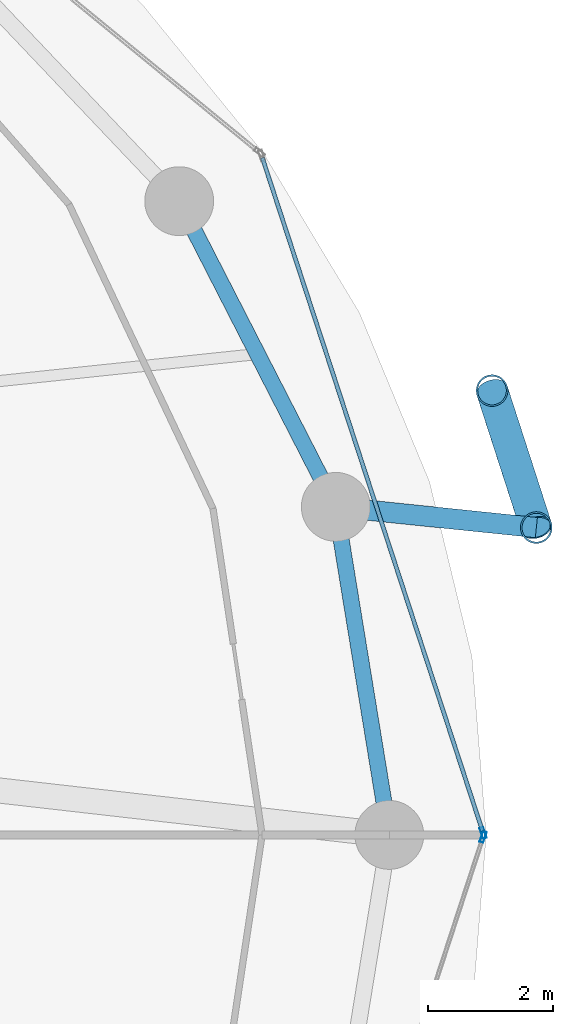
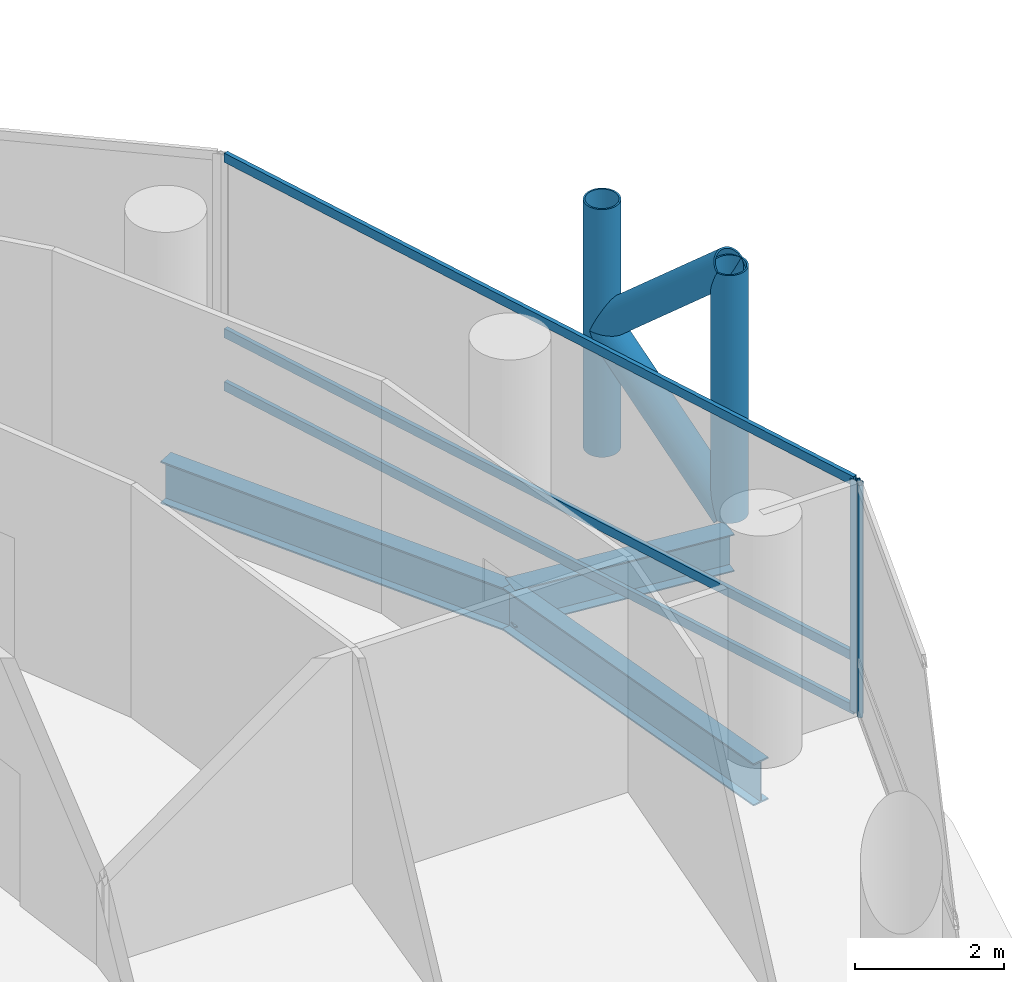
# One storey, part 12 of 26: 9 members, 3 beams, 2 elements without a shape of their own.
"""IFC4 building model written with IfcOpenShell, lengths in metres."""

from ifc_helpers import new_model, si_unit, direction, frame, origin, origin_2d, place, context, subcontext, project, spatial, hollow_rectangle, hollow_circle, i_section, extrude, material, layer, layer_set, material_profile, profile_set, type_object, element, aggregate, save


model = new_model("IFC4")

# Units and contexts
model_context = context("Model", 3, precision=1e-05, world=origin(), true_north=direction((0.0, 1.0)))
body_context = subcontext(model_context, "Body", "Model", "MODEL_VIEW")
ifc_project = project(units=[si_unit("LENGTHUNIT", "METRE"), si_unit("AREAUNIT", "SQUARE_METRE"), si_unit("VOLUMEUNIT", "CUBIC_METRE"), si_unit("PLANEANGLEUNIT", "RADIAN"), si_unit("MASSUNIT", "GRAM", prefix="KILO")], contexts=[model_context])

# Site, building, storey
site_placement = place(None, origin())
site = spatial("IfcSite", under=ifc_project, at=site_placement, CompositionType="ELEMENT")
building_placement = place(site_placement, origin())
building = spatial("IfcBuilding", under=site, at=building_placement, Name="Nuhasar Tower", CompositionType="ELEMENT")
storey_placement = place(building_placement, frame((0.0, 0.0, 97.949951171875)))
storey = spatial("IfcBuildingStorey", under=building, at=storey_placement, Name="L23", CompositionType="ELEMENT", Elevation=97.949951171875)

# Beams
ifc_material_1 = material(Name="Steel S355", Category="steel")
ifc_material_profile_1 = material_profile(ifc_material_1, i_section(OverallWidth=0.256103515625, OverallDepth=0.693115234375, WebThickness=0.014404296875, FlangeThickness=0.023681640625, at=origin_2d()), Name="W27X114")
ifc_profile_set_1 = profile_set([ifc_material_profile_1], Name="Steel S355")
beam_type_1 = type_object("IfcBeamType", Name="BM-RING-W27X114", PredefinedType="SPANDREL", material=ifc_profile_set_1)
beam_1_placement = place(storey_placement, frame((64.050048828125, 26.800048828125, -0.596923828125), z_axis=(-0.160826635486, 0.986982671235, 0.0), x_axis=(-0.986982671235, -0.160826635486, 0.0)))
element("IfcBeam", 1, at=beam_1_placement, inside=storey, type_object=beam_type_1, Name="L23 Perimeter Ring Spandrel 01", PredefinedType="SPANDREL", context=body_context, shape_type="SweptSolid", body=[
    extrude(i_section(OverallWidth=0.256103515625, OverallDepth=0.693115234375, WebThickness=0.014404296875, FlangeThickness=0.023681640625, at=origin_2d()), origin(), (0.0, 0.0, 1.0), 5.31005859375),
])
beam_2_placement = place(storey_placement, frame((63.196044921875, 32.041015625, -0.596923828125), z_axis=(-0.455930023905, 0.890015625314, 0.0), x_axis=(-0.890015625314, -0.455930023905, 0.0)))
element("IfcBeam", 2, at=beam_2_placement, inside=storey, type_object=beam_type_1, Name="L23 Perimeter Ring Spandrel 02", PredefinedType="SPANDREL", context=body_context, shape_type="SweptSolid", body=[
    extrude(i_section(OverallWidth=0.256103515625, OverallDepth=0.693115234375, WebThickness=0.014404296875, FlangeThickness=0.023681640625, at=origin_2d()), origin(), (0.0, 0.0, 1.0), 5.487548828125),
])
ifc_material_profile_2 = material_profile(ifc_material_1, i_section(OverallWidth=0.323974609375, OverallDepth=0.611083984375, WebThickness=0.0126953125, FlangeThickness=0.01904296875, at=origin_2d()), Name="W24X104")
ifc_profile_set_2 = profile_set([ifc_material_profile_2], Name="Steel S355")
beam_type_2 = type_object("IfcBeamType", Name="BM-TIE-W24X104", PredefinedType="BEAM", material=ifc_profile_set_2)
beam_3_placement = place(storey_placement, frame((63.196044921875, 32.041015625, -0.554931640625), z_axis=(0.994703825606, -0.102782777377, 0.0), x_axis=(0.102782777377, 0.994703825606, 0.0)))
element("IfcBeam", 3, at=beam_3_placement, inside=storey, type_object=beam_type_2, Name="L23 Exoskeleton Node Tie Beam 01", PredefinedType="BEAM", context=body_context, shape_type="SweptSolid", body=[
    extrude(i_section(OverallWidth=0.323974609375, OverallDepth=0.611083984375, WebThickness=0.0126953125, FlangeThickness=0.01904296875, at=origin_2d()), origin(), (0.0, 0.0, 1.0), 3.220947265625),
])

# Curtain wall, member
ifc_material_2 = material(Name="Aluminium 6063-T6", Category="aluminium")
ifc_layer = layer(ifc_material_2, 0.199951171875)
ifc_layer_set = layer_set([ifc_layer], Name="Aluminium 6063-T6")
curtain_wall_type = type_object("IfcCurtainWallType", Name="CW-Z1-OFF", PredefinedType="NOTDEFINED", material=ifc_layer_set)
curtain_wall_1_placement = place(storey_placement, origin())
curtain_wall_1 = element("IfcCurtainWall", 4, at=curtain_wall_1_placement, inside=storey, type_object=curtain_wall_type, Name="L23 Unitised Curtain Wall 01", PredefinedType="NOTDEFINED")
ifc_material_profile_3 = material_profile(ifc_material_2, hollow_rectangle(XDim=0.06494140625, YDim=0.179931640625, WallThickness=0.0048828125, at=origin_2d()), Name="CWM-2")
ifc_profile_set_3 = profile_set([ifc_material_profile_3], Name="Aluminium 6063-T6")
member_type_1 = type_object("IfcMemberType", Name="CW-MUL-S2", PredefinedType="MULLION", material=ifc_profile_set_3)
member_1_placement = place(storey_placement, frame((65.5498046875, 26.830810546875, 0.0), z_axis=(0.0, 0.0, 1.0), x_axis=(-0.950467534571, -0.310823849997, 0.0)))
member_1 = element("IfcMember", 5, at=member_1_placement, type_object=member_type_1, Name="CW-Z1 mullion 1", PredefinedType="MULLION", context=body_context, shape_type="SweptSolid", body=[
    extrude(hollow_rectangle(XDim=0.06494140625, YDim=0.179931640625, WallThickness=0.0048828125, at=origin_2d()), origin(), (0.0, 0.0, 1.0), 3.800048828125),
])

curtain_wall_2_placement = place(storey_placement, origin())
curtain_wall_2 = element("IfcCurtainWall", 6, at=curtain_wall_2_placement, inside=storey, type_object=curtain_wall_type, Name="L23 Unitised Curtain Wall 12", PredefinedType="NOTDEFINED")
member_2_placement = place(storey_placement, frame((65.5498046875, 26.76904296875, 0.0), z_axis=(0.0, 0.0, 1.0), x_axis=(-0.950467534571, 0.310823849997, 0.0)))
member_2 = element("IfcMember", 7, at=member_2_placement, type_object=member_type_1, Name="CW-Z1 mullion 2", PredefinedType="MULLION", context=body_context, shape_type="SweptSolid", body=[
    extrude(hollow_rectangle(XDim=0.06494140625, YDim=0.179931640625, WallThickness=0.0048828125, at=origin_2d()), origin(), (0.0, 0.0, 1.0), 3.800048828125),
])
aggregate(curtain_wall_2, [member_2])

# Member
ifc_material_profile_4 = material_profile(ifc_material_2, hollow_rectangle(XDim=0.06494140625, YDim=0.14990234375, WallThickness=0.00439453125, at=origin_2d()), Name="CWT-2")
ifc_profile_set_4 = profile_set([ifc_material_profile_4], Name="Aluminium 6063-T6")
member_type_2 = type_object("IfcMemberType", Name="CW-TRN-S2", PredefinedType="USERDEFINED", material=ifc_profile_set_4)
member_3_placement = place(storey_placement, frame((65.539794921875, 26.86181640625, 0.032470703125), z_axis=(-0.31082506089, 0.950467138581, 0.0), x_axis=(-0.950467138581, -0.31082506089, 0.0)))
member_3 = element("IfcMember", 8, at=member_3_placement, type_object=member_type_2, Name="CW-Z1 transom 1.1", ObjectType="TRANSOM", PredefinedType="USERDEFINED", context=body_context, shape_type="SweptSolid", body=[
    extrude(hollow_rectangle(XDim=0.06494140625, YDim=0.14990234375, WallThickness=0.00439453125, at=origin_2d()), origin(), (0.0, 0.0, 1.0), 11.31689453125),
])

member_4_placement = place(storey_placement, frame((65.539794921875, 26.86181640625, 0.900146484375), z_axis=(-0.31082506089, 0.950467138581, 0.0), x_axis=(-0.950467138581, -0.31082506089, 0.0)))
member_4 = element("IfcMember", 9, at=member_4_placement, type_object=member_type_2, Name="CW-Z1 transom 1.2", ObjectType="TRANSOM", PredefinedType="USERDEFINED", context=body_context, shape_type="SweptSolid", body=[
    extrude(hollow_rectangle(XDim=0.06494140625, YDim=0.14990234375, WallThickness=0.00439453125, at=origin_2d()), origin(), (0.0, 0.0, 1.0), 11.31689453125),
])

member_5_placement = place(storey_placement, frame((65.539794921875, 26.86181640625, 3.767578125), z_axis=(-0.31082506089, 0.950467138581, 0.0), x_axis=(-0.950467138581, -0.31082506089, 0.0)))
member_5 = element("IfcMember", 10, at=member_5_placement, type_object=member_type_2, Name="CW-Z1 transom 1.3", ObjectType="TRANSOM", PredefinedType="USERDEFINED", context=body_context, shape_type="SweptSolid", body=[
    extrude(hollow_rectangle(XDim=0.06494140625, YDim=0.14990234375, WallThickness=0.00439453125, at=origin_2d()), origin(), (0.0, 0.0, 1.0), 11.31689453125),
])

aggregate(curtain_wall_1, [member_1, member_3, member_4, member_5])

# Members
ifc_material_3 = material(Name="Steel S460", Category="steel")
ifc_material_profile_5 = material_profile(ifc_material_3, hollow_circle(Radius=0.25390625, WallThickness=0.025390625, at=origin_2d()), Name="HSS508X25.4")
ifc_profile_set_5 = profile_set([ifc_material_profile_5], Name="Steel S460")
member_type_3 = type_object("IfcMemberType", Name="EXO-BRONZE-508", PredefinedType="BRACE", material=ifc_profile_set_5)
for number, where, z_axis, x_axis, name in (
    (11, (66.39990234375, 31.7099609375, 0.0), (0.0, 0.0, 1.0), (1.0, 0.0, 0.0), "L23 Exoskeleton Chord Column EC-01A"),
    (12, (65.69189453125, 33.89892578125, 0.0), (0.0, 0.0, 1.0), (1.0, 0.0, 0.0), "L23 Exoskeleton Chord Column EC-01B"),
):
    element("IfcMember", number, at=place(storey_placement, frame(where, z_axis=z_axis, x_axis=x_axis)), inside=storey, type_object=member_type_3, Name=name, PredefinedType="BRACE", context=body_context, shape_type="SweptSolid", body=[
        extrude(hollow_circle(Radius=0.25390625, WallThickness=0.025390625, at=origin_2d()), origin(), (0.0, 0.0, 1.0), 4.050048828125),
    ])
member_6_placement = place(storey_placement, frame((66.39990234375, 31.7099609375, 0.0), z_axis=(-0.230999678299, 0.714187281251, 0.660738734997), x_axis=(-0.951468282519, -0.307746823478, 0.0)))
element("IfcMember", 13, at=member_6_placement, inside=storey, type_object=member_type_3, Name="L23 Bronze Diagrid Brace W1-01", PredefinedType="BRACE", context=body_context, shape_type="SweptSolid", body=[
    extrude(hollow_circle(Radius=0.25390625, WallThickness=0.025390625, at=origin_2d()), origin(), (0.0, 0.0, 1.0), 3.06494140625),
])
member_7_placement = place(storey_placement, frame((65.69189453125, 33.89892578125, 2.025146484375), z_axis=(0.231011836313, -0.714224870475, 0.660693851854), x_axis=(0.951468282519, 0.307746823478, 0.0)))
element("IfcMember", 14, at=member_7_placement, inside=storey, type_object=member_type_3, Name="L23 Bronze Diagrid Brace W2-01", PredefinedType="BRACE", context=body_context, shape_type="SweptSolid", body=[
    extrude(hollow_circle(Radius=0.25390625, WallThickness=0.025390625, at=origin_2d()), origin(), (0.0, 0.0, 1.0), 3.064697265625),
])

save(model, "model.ifc")
